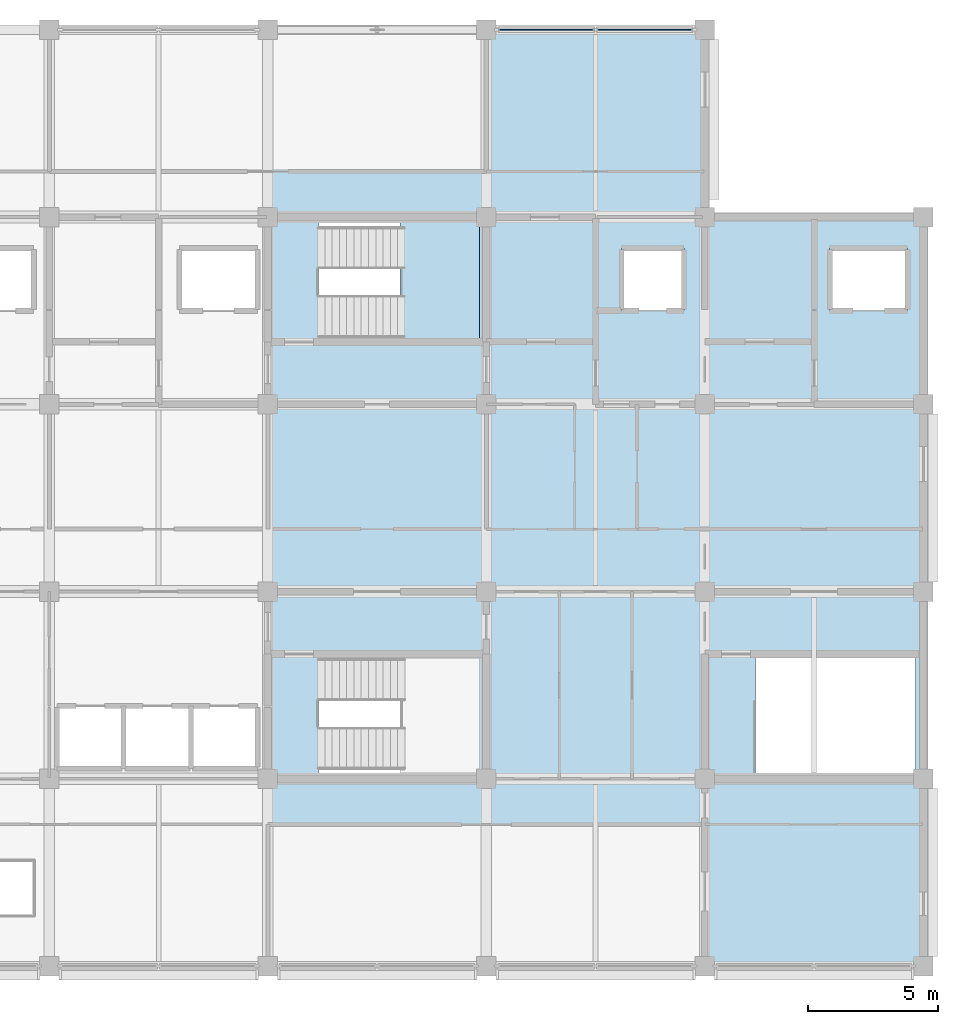
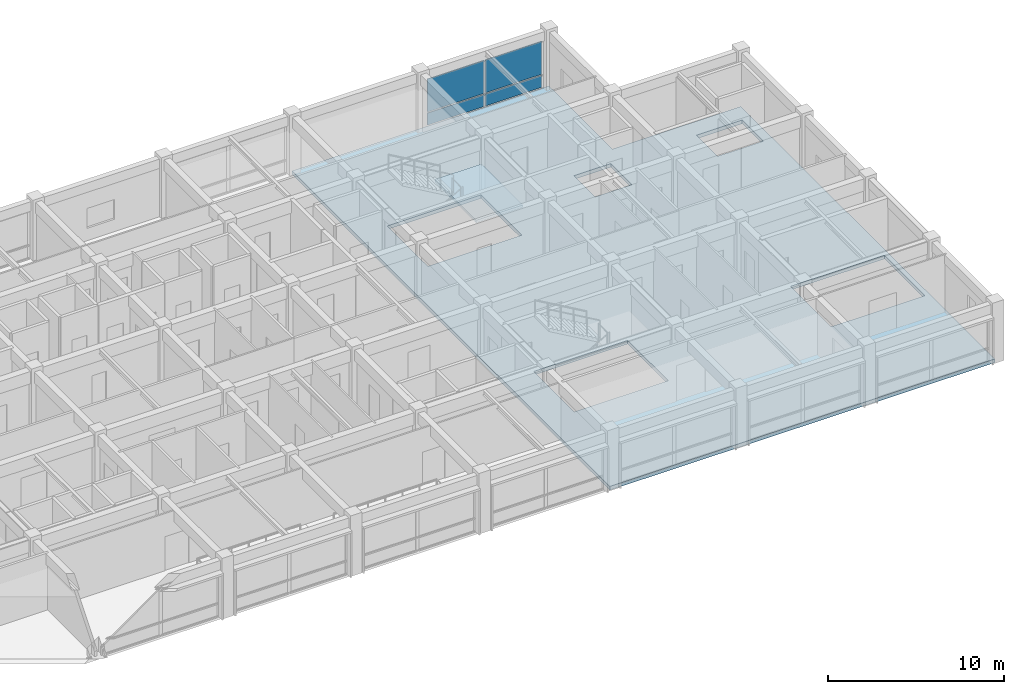
# One storey, part 9 of 23: 4 plates, 2 slabs, 2 elements without a shape of their own.
"""IFC4 building model written with IfcOpenShell, lengths in metres."""

import ifcopenshell
import ifcopenshell.guid

model = None  # the IFC model being written
_history = None  # IfcOwnerHistory: only IFC2X3 demands one
_inside = {}  # id of a spatial element -> (the spatial element, [elements in it])
_under = {}  # id of a project, library or spatial element -> (it, [spatial elements below it])
_declared = {}  # id of a project -> (the project, [libraries it declares])
_typed = {}  # id of a type object -> (the type object, [elements of that type])
_made_of = {}  # id of a material, layer set ... -> (it, [elements and type objects made of it])


def new_model(schema):
    """Start an empty IFC model of exactly this schema.

    Asked for "IFC4X3", IfcOpenShell would pick the latest addendum, in which some entities
    have other attributes; the version numbers below select the first issue.
    IFC2X3 requires an IfcOwnerHistory on every rooted entity: one is made here for all.
    """
    global model, _history
    if schema == "IFC4X3":
        model = ifcopenshell.file(schema_version=(4, 3, 0, 0))
    else:
        model = ifcopenshell.file(schema=schema)
    _inside.clear()
    _under.clear()
    _declared.clear()
    _typed.clear()
    _made_of.clear()
    _history = None
    if model.schema == "IFC2X3":
        org = make("IfcOrganization", Name="unknown")
        user = make(
            "IfcPersonAndOrganization",
            ThePerson=make("IfcPerson", FamilyName="unknown"),
            TheOrganization=org,
        )
        app = make(
            "IfcApplication",
            ApplicationDeveloper=org,
            Version="unknown",
            ApplicationFullName="unknown",
            ApplicationIdentifier="unknown",
        )
        _history = make(
            "IfcOwnerHistory",
            OwningUser=user,
            OwningApplication=app,
            ChangeAction="ADDED",
            CreationDate=0,
        )
    return model


def make(cls, **values):
    """One entity of the class cls with the attributes given. An attribute that is None is left unset."""
    return model.create_entity(
        cls, **{name: value for name, value in values.items() if value is not None}
    )


def rooted(cls, **values):
    """An entity with a GlobalId (a new one), such as an element, a storey or a relation."""
    return make(cls, GlobalId=ifcopenshell.guid.new(), OwnerHistory=_history, **values)


def si_unit(unit_type, name, prefix=None):
    """IfcSIUnit, for example si_unit("LENGTHUNIT", "METRE", prefix="MILLI")."""
    return make("IfcSIUnit", UnitType=unit_type, Prefix=prefix, Name=name)


def assignment(units):
    """IfcUnitAssignment: the units of a project."""
    return None if units is None else make("IfcUnitAssignment", Units=units)


def point(xyz):
    """IfcCartesianPoint."""
    return None if xyz is None else make("IfcCartesianPoint", Coordinates=xyz)


def direction(xyz):
    """IfcDirection."""
    return None if xyz is None else make("IfcDirection", DirectionRatios=xyz)


def frame(location, z_axis=None, x_axis=None):
    """IfcAxis2Placement3D, a coordinate frame: its origin and axes. An axis left out is left unset."""
    return make(
        "IfcAxis2Placement3D",
        Location=point(location),
        Axis=direction(z_axis),
        RefDirection=direction(x_axis),
    )


def frame_2d(location, x_axis=None):
    """IfcAxis2Placement2D, a coordinate frame in the plane: its origin and x axis."""
    return make(
        "IfcAxis2Placement2D", Location=point(location), RefDirection=direction(x_axis)
    )


def origin():
    """The frame at (0, 0, 0) with its axes left unset."""
    return frame((0.0, 0.0, 0.0))


def origin_2d():
    """The frame at (0, 0) in the plane with its x axis left unset."""
    return frame_2d((0.0, 0.0))


def place(relative_to, where):
    """IfcLocalPlacement: puts the frame where relative to a parent placement (None: the world)."""
    return make(
        "IfcLocalPlacement", PlacementRelTo=relative_to, RelativePlacement=where
    )


def context(
    kind, dimensions, precision=None, world=None, true_north=None, identifier=None
):
    """IfcGeometricRepresentationContext, for example the 3D "Model" context."""
    return make(
        "IfcGeometricRepresentationContext",
        ContextIdentifier=identifier,
        ContextType=kind,
        CoordinateSpaceDimension=dimensions,
        Precision=precision,
        WorldCoordinateSystem=world,
        TrueNorth=true_north,
    )


def subcontext(parent, identifier, kind, view, scale=None):
    """IfcGeometricRepresentationSubContext, for example "Body" below "Model"."""
    return make(
        "IfcGeometricRepresentationSubContext",
        ContextIdentifier=identifier,
        ContextType=kind,
        ParentContext=parent,
        TargetScale=scale,
        TargetView=view,
    )


def project(units=None, contexts=None):
    """IfcProject with its units and contexts."""
    return rooted(
        "IfcProject",
        Name="project",
        RepresentationContexts=contexts,
        UnitsInContext=assignment(units),
    )


def spatial(cls, under=None, at=None, **own):
    """A site, building, storey or space (cls), placed at a placement, below another one or the project."""
    s = rooted(cls, ObjectPlacement=at, **own)
    if under is not None:
        _under.setdefault(under.id(), (under, []))[1].append(s)
    return s


def polyline(points):
    """IfcPolyline through the points."""
    return make("IfcPolyline", Points=[point(p) for p in points])


def profile(cls, at=None, kind="AREA", **sizes):
    """A parametric profile (cls). Its sizes go by their IFC names, for example OverallWidth=200.0."""
    return make(cls, ProfileType=kind, Position=at, **sizes)


def rectangle(**sizes):
    """IfcRectangleProfileDef."""
    return profile("IfcRectangleProfileDef", **sizes)


def outline(outer, holes=None, kind="AREA"):
    """IfcArbitraryClosedProfileDef: a profile drawn as a closed curve; with holes, ...WithVoids."""
    if holes is None:
        return make("IfcArbitraryClosedProfileDef", ProfileType=kind, OuterCurve=outer)
    return make(
        "IfcArbitraryProfileDefWithVoids",
        ProfileType=kind,
        OuterCurve=outer,
        InnerCurves=holes,
    )


def extrude(swept, where, along, depth):
    """IfcExtrudedAreaSolid: the profile swept, set in the frame where, extruded along a direction by depth."""
    return make(
        "IfcExtrudedAreaSolid",
        SweptArea=swept,
        Position=where,
        ExtrudedDirection=direction(along),
        Depth=depth,
    )


def shape(context_of_items, identifier, shape_type, items):
    """IfcShapeRepresentation: the items that make up one representation, for example the "Body"."""
    return make(
        "IfcShapeRepresentation",
        ContextOfItems=context_of_items,
        RepresentationIdentifier=identifier,
        RepresentationType=shape_type,
        Items=items,
    )


def material(Name=None, Category=None):
    """IfcMaterial."""
    return make("IfcMaterial", Name=Name, Category=Category)


def layer(
    of_material, thickness, ventilated=None, Name=None, Category=None, Priority=None
):
    """IfcMaterialLayer: one layer of a wall or slab, of a material (None: an air gap)."""
    return make(
        "IfcMaterialLayer",
        Material=of_material,
        LayerThickness=thickness,
        IsVentilated=ventilated,
        Name=Name,
        Category=Category,
        Priority=Priority,
    )


def layer_set(layers, Name=None):
    """IfcMaterialLayerSet."""
    return make("IfcMaterialLayerSet", MaterialLayers=layers, LayerSetName=Name)


def made_of(thing, what):
    """Note that an element or type object is made of a material, layer set ...; save() writes the relation."""
    if what is not None:
        _made_of.setdefault(what.id(), (what, []))[1].append(thing)
    return thing


def type_object(cls, material=None, **own):
    """A type object (cls), such as IfcWallType, which elements share."""
    return made_of(rooted(cls, **own), material)


def element(
    cls,
    number,
    at=None,
    inside=None,
    cuts=None,
    type_object=None,
    material=None,
    context=None,
    identifier="Body",
    shape_type=None,
    held_by="IfcProductDefinitionShape",
    body=None,
    shapes=None,
    **own,
):
    """One element of the class cls, such as IfcWall. Its Tag is "e" and its number.

    at: its placement. inside: the storey or other place that contains it. cuts: it is an
    opening in that element (IfcRelVoidsElement). A single representation is given by context,
    identifier, shape_type and body (its items); several are given by shapes. held_by: the class
    of the entity that holds the representations. save() writes the other relations.
    """
    e = rooted(cls, Tag="e%d" % number, ObjectPlacement=at, **own)
    if body is not None:
        shapes = [shape(context, identifier, shape_type, body)]
    if shapes is not None:
        e.Representation = make(held_by, Representations=shapes)
    if inside is not None:
        _inside.setdefault(inside.id(), (inside, []))[1].append(e)
    if cuts is not None:
        rooted(
            "IfcRelVoidsElement", RelatingBuildingElement=cuts, RelatedOpeningElement=e
        )
    if type_object is not None:
        _typed.setdefault(type_object.id(), (type_object, []))[1].append(e)
    return made_of(e, material)


def aggregate(whole, parts):
    """IfcRelAggregates: a whole, such as a stair, and the parts it consists of."""
    return rooted("IfcRelAggregates", RelatingObject=whole, RelatedObjects=parts)


def save(model, path):
    """Write the relations noted so far, then the file.

    IfcRelAggregates (storeys below a building ...), IfcRelContainedInSpatialStructure (elements
    in a storey), IfcRelDefinesByType, IfcRelAssociatesMaterial and IfcRelDeclares: one each for
    every whole, place, type object, material and project.
    """
    for whole, parts in _under.values():
        aggregate(whole, parts)
    for where, things in _inside.values():
        rooted(
            "IfcRelContainedInSpatialStructure",
            RelatedElements=things,
            RelatingStructure=where,
        )
    for kind, things in _typed.values():
        rooted("IfcRelDefinesByType", RelatedObjects=things, RelatingType=kind)
    for what, things in _made_of.values():
        rooted("IfcRelAssociatesMaterial", RelatedObjects=things, RelatingMaterial=what)
    for by, libraries in _declared.values():
        rooted("IfcRelDeclares", RelatingContext=by, RelatedDefinitions=libraries)
    model.write(path)


model = new_model("IFC4")

# Units and contexts
model_context = context("Model", 3, precision=1e-05, world=origin(), true_north=direction((0.0, 1.0)))
body_context = subcontext(model_context, "Body", "Model", "MODEL_VIEW")
ifc_project = project(units=[si_unit("LENGTHUNIT", "METRE"), si_unit("AREAUNIT", "SQUARE_METRE"), si_unit("VOLUMEUNIT", "CUBIC_METRE"), si_unit("PLANEANGLEUNIT", "RADIAN"), si_unit("MASSUNIT", "GRAM", prefix="KILO")], contexts=[model_context])

# Site, building, storey
site_placement = place(None, origin())
site = spatial("IfcSite", under=ifc_project, at=site_placement, CompositionType="ELEMENT")
building_placement = place(site_placement, origin())
building = spatial("IfcBuilding", under=site, at=building_placement, Name="Chengyuan Square Courthouse", CompositionType="ELEMENT")
storey_placement = place(building_placement, frame((0.0, 0.0, 43.5)))
storey = spatial("IfcBuildingStorey", under=building, at=storey_placement, Name="L10", CompositionType="ELEMENT", Elevation=43.5)

# Curtain wall, plates
ifc_material_1 = material(Name="Unitised Aluminium and Triple Low-E Glass", Category="aluminium")
ifc_layer_1 = layer(ifc_material_1, 0.219970703125)
ifc_layer_set_1 = layer_set([ifc_layer_1], Name="Unitised Aluminium and Triple Low-E Glass")
curtain_wall_type = type_object("IfcCurtainWallType", Name="CW-04", PredefinedType="USERDEFINED", material=ifc_layer_set_1)
curtain_wall_placement = place(storey_placement, origin())
curtain_wall = element("IfcCurtainWall", 1, at=curtain_wall_placement, inside=storey, type_object=curtain_wall_type, Name="Unitised Curtain Wall CW-L10-258", ObjectType="UNITISED CURTAIN WALL", PredefinedType="USERDEFINED")
ifc_material_2 = material(Name="Triple Low-E Insulating Glass", Category="glass")
ifc_layer_2 = layer(ifc_material_2, 0.052001953125)
ifc_layer_set_2 = layer_set([ifc_layer_2], Name="Triple Low-E Insulating Glass")
plate_type = type_object("IfcPlateType", Name="CWP-04", PredefinedType="CURTAIN_PANEL", material=ifc_layer_set_2)
plate_1_placement = place(storey_placement, frame((111.507568359375, 115.199951171875, 0.080078125), z_axis=(0.0, 0.0, 1.0), x_axis=(1.0, 0.0, 0.0)))
plate_1 = element("IfcPlate", 2, at=plate_1_placement, type_object=plate_type, Name="CW-04 panel 1.1", PredefinedType="CURTAIN_PANEL", context=body_context, shape_type="SweptSolid", body=[
    extrude(rectangle(XDim=3.705078125, YDim=0.052001953125, at=origin_2d()), origin(), (0.0, 0.0, 1.0), 0.830078125),
])
plate_2_placement = place(storey_placement, frame((111.507568359375, 115.199951171875, 0.98974609375), z_axis=(0.0, 0.0, 1.0), x_axis=(1.0, 0.0, 0.0)))
plate_2 = element("IfcPlate", 3, at=plate_2_placement, type_object=plate_type, Name="CW-04 panel 1.2", PredefinedType="CURTAIN_PANEL", context=body_context, shape_type="SweptSolid", body=[
    extrude(rectangle(XDim=3.705078125, YDim=0.052001953125, at=origin_2d()), origin(), (0.0, 0.0, 1.0), 2.280029296875),
])
plate_3_placement = place(storey_placement, frame((115.29248046875, 115.199951171875, 0.080078125), z_axis=(0.0, 0.0, 1.0), x_axis=(1.0, 0.0, 0.0)))
plate_3 = element("IfcPlate", 4, at=plate_3_placement, type_object=plate_type, Name="CW-04 panel 2.1", PredefinedType="CURTAIN_PANEL", context=body_context, shape_type="SweptSolid", body=[
    extrude(rectangle(XDim=3.705078125, YDim=0.052001953125, at=origin_2d()), origin(), (0.0, 0.0, 1.0), 0.830078125),
])
plate_4_placement = place(storey_placement, frame((115.29248046875, 115.199951171875, 0.98974609375), z_axis=(0.0, 0.0, 1.0), x_axis=(1.0, 0.0, 0.0)))
plate_4 = element("IfcPlate", 5, at=plate_4_placement, type_object=plate_type, Name="CW-04 panel 2.2", PredefinedType="CURTAIN_PANEL", context=body_context, shape_type="SweptSolid", body=[
    extrude(rectangle(XDim=3.705078125, YDim=0.052001953125, at=origin_2d()), origin(), (0.0, 0.0, 1.0), 2.280029296875),
])
aggregate(curtain_wall, [plate_1, plate_2, plate_3, plate_4])

# Stair, slab
ifc_material_3 = material(Name="Concrete C40", Category="concrete")
stair_type = type_object("IfcStairType", Name="ST-TYPE-02", PredefinedType="HALF_TURN_STAIR", material=ifc_material_3)
stair_placement = place(storey_placement, origin())
stair = element("IfcStair", 6, at=stair_placement, inside=storey, type_object=stair_type, Name="Smoke-Proof Exit Stair ST-2 (L10 to L11)", PredefinedType="HALF_TURN_STAIR")
ifc_layer_3 = layer(ifc_material_3, 0.179931640625)
ifc_layer_set_3 = layer_set([ifc_layer_3], Name="Concrete C40")
slab_type_1 = type_object("IfcSlabType", Name="SL-LND2", PredefinedType="LANDING", material=ifc_layer_set_3)
slab_1_placement = place(storey_placement, frame((0.0, 0.0, 1.919921875)))
slab_1 = element("IfcSlab", 7, at=slab_1_placement, type_object=slab_type_1, Name="ST-2 landing 1", PredefinedType="LANDING", context=body_context, shape_type="SweptSolid", body=[
    extrude(outline(polyline([(105.889892578125, 103.159912109375), (108.93994140625, 103.159912109375), (108.93994140625, 107.840087890625), (105.889892578125, 107.840087890625), (105.889892578125, 103.159912109375)])), origin(), (0.0, 0.0, 1.0), 0.18017578125),
])
aggregate(stair, [slab_1])

# Slab
ifc_layer_4 = layer(ifc_material_3, 0.25)
ifc_layer_set_4 = layer_set([ifc_layer_4], Name="Concrete C40")
slab_type_2 = type_object("IfcSlabType", Name="SL-RC25", PredefinedType="FLOOR", material=ifc_layer_set_4)
slab_2_placement = place(storey_placement, frame((0.0, 0.0, -0.25)))
element("IfcSlab", 8, at=slab_2_placement, inside=storey, type_object=slab_type_2, Name="Suspended Floor Slab SL-L10-04", PredefinedType="FLOOR", context=body_context, shape_type="SweptSolid", body=[
    extrude(outline(polyline([(109.199951171875, 115.199951171875), (117.60009765625, 115.199951171875), (117.60009765625, 108.0), (126.0, 108.0), (126.0, 100.800048828125), (126.0, 93.60009765625), (126.0, 86.39990234375), (126.0, 79.199951171875), (117.60009765625, 79.199951171875), (109.199951171875, 79.199951171875), (100.800048828125, 79.199951171875), (100.800048828125, 115.199951171875), (109.199951171875, 115.199951171875)]), holes=[polyline([(108.89990234375, 91.199951171875), (102.75, 91.199951171875), (102.75, 86.60009765625), (108.89990234375, 86.60009765625), (108.89990234375, 91.199951171875)]), polyline([(125.699951171875, 91.199951171875), (119.550048828125, 91.199951171875), (119.550048828125, 86.60009765625), (125.699951171875, 86.60009765625), (125.699951171875, 91.199951171875)]), polyline([(102.75, 107.800048828125), (102.75, 103.199951171875), (108.89990234375, 103.199951171875), (108.89990234375, 107.800048828125), (102.75, 107.800048828125)]), polyline([(116.800048828125, 106.800048828125), (114.39990234375, 106.800048828125), (114.39990234375, 104.39990234375), (116.800048828125, 104.39990234375), (116.800048828125, 106.800048828125)]), polyline([(125.39990234375, 106.800048828125), (122.39990234375, 106.800048828125), (122.39990234375, 104.39990234375), (125.39990234375, 104.39990234375), (125.39990234375, 106.800048828125)])]), origin(), (0.0, 0.0, 1.0), 0.25),
])

save(model, "model.ifc")
